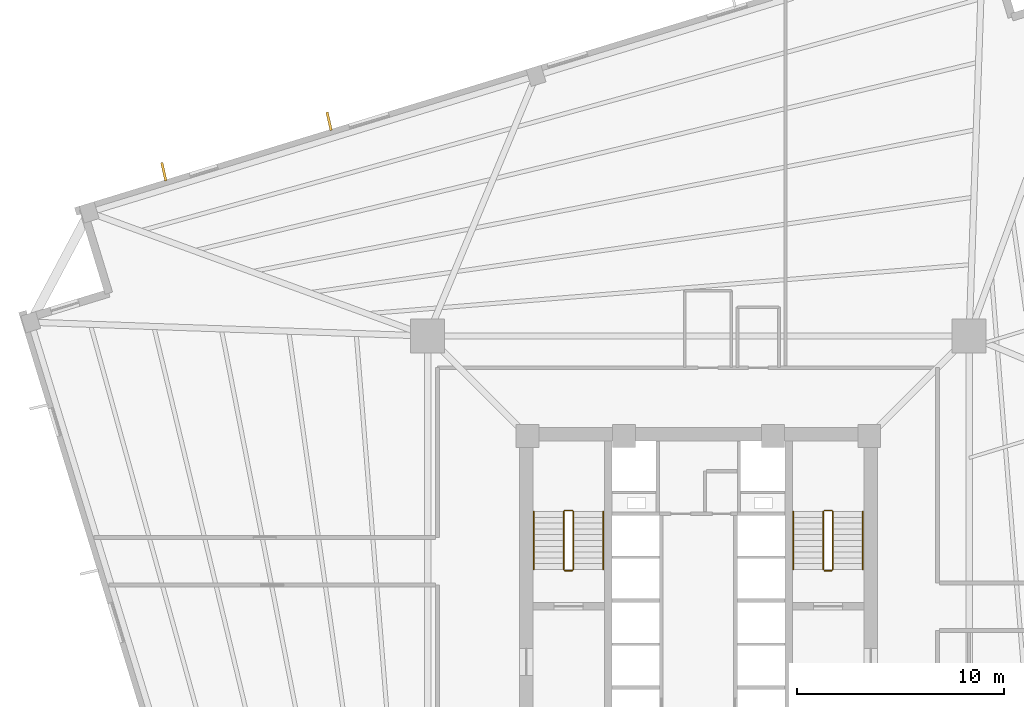
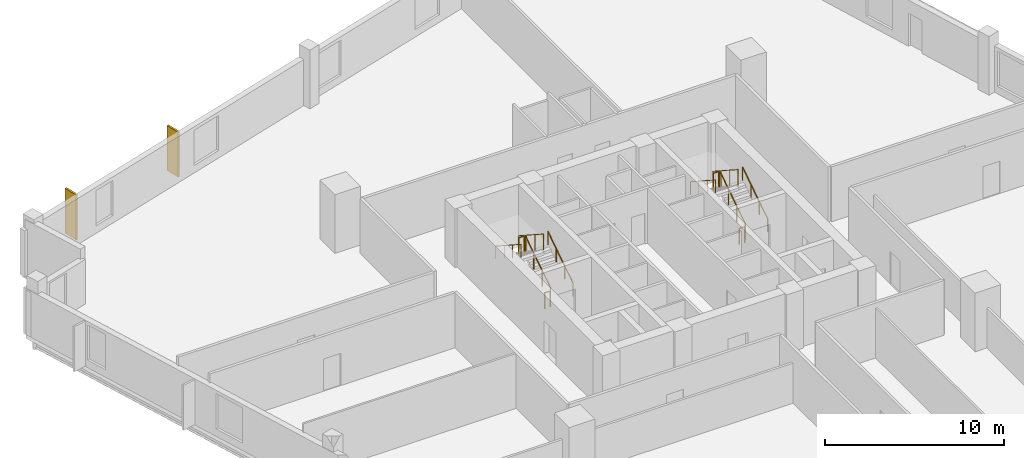
# One storey, part 8 of 9: 12 railings, 2 coverings.
"""IFC4 building model written with IfcOpenShell, lengths in metres."""

from ifc_helpers import new_model, si_unit, direction, frame, origin, origin_2d, place, context, subcontext, project, spatial, rectangle, circle, extrude, source, transform, mapped, material, layer, layer_set, type_object, element, save


model = new_model("IFC4")

# Units and contexts
model_context = context("Model", 3, precision=1e-05, world=origin(), true_north=direction((0.0, 1.0)))
body_context = subcontext(model_context, "Body", "Model", "MODEL_VIEW")
ifc_project = project(units=[si_unit("LENGTHUNIT", "METRE"), si_unit("AREAUNIT", "SQUARE_METRE"), si_unit("VOLUMEUNIT", "CUBIC_METRE"), si_unit("PLANEANGLEUNIT", "RADIAN"), si_unit("MASSUNIT", "GRAM", prefix="KILO"), si_unit("THERMODYNAMICTEMPERATUREUNIT", "KELVIN")], contexts=[model_context])

# Site, building, storey
site_placement = place(None, origin())
site = spatial("IfcSite", under=ifc_project, at=site_placement, CompositionType="ELEMENT")
building_placement = place(site_placement, origin())
building = spatial("IfcBuilding", under=site, at=building_placement, Name="Kosmvard Interchange Tower", CompositionType="ELEMENT")
storey_placement = place(building_placement, frame((0.0, 0.0, 131.199951171875)))
storey = spatial("IfcBuildingStorey", under=building, at=storey_placement, Name="L31", CompositionType="ELEMENT", Elevation=131.199951171875)

# Coverings
ifc_material_1 = material(Name="Architectural anodised aluminium", Category="aluminium")
ifc_layer = layer(ifc_material_1, 0.1201171875, Name="Architectural anodised aluminium")
ifc_layer_set = layer_set([ifc_layer], Name="Architectural anodised aluminium")
covering_type = type_object("IfcCoveringType", Name="Rotating Vertical Sun-Breaker Fin 900x120 Aluminium", PredefinedType="CLADDING", material=ifc_layer_set)
shared_shape_1 = source(origin(), body_context, "Body", "SweptSolid", [
    extrude(rectangle(XDim=0.89990234375, YDim=0.1201171875, at=origin_2d()), origin(), (0.0, 0.0, 1.0), 3.06005859375),
])
for number, where, z_axis, x_axis, name in (
    (1, (-17.841796875, 23.45849609375, 0.0400390625), (0.0, 0.0, 1.0), (-0.220186716747, 0.975457743712, 0.0), "L31 Rotating Vertical Sun-Breaker Fin 11"),
    (2, (-25.825439453125, 21.017822265625, 0.0400390625), (0.0, 0.0, 1.0), (-0.220186716747, 0.975457743712, 0.0), "L31 Rotating Vertical Sun-Breaker Fin 12"),
):
    element("IfcCovering", number, at=place(storey_placement, frame(where, z_axis=z_axis, x_axis=x_axis)), inside=storey, type_object=covering_type, Name=name, PredefinedType="CLADDING", context=body_context, shape_type="MappedRepresentation", body=[
        mapped(shared_shape_1, transform((0.0, 0.0, 0.0), scale=1.0)),
    ])

# Railings
ifc_material_2 = material(Name="Steel S355", Category="steel")
railing_type_1 = type_object("IfcRailingType", Name="Stair & Terrace Safety Guardrail 1100 Steel", PredefinedType="GUARDRAIL", material=ifc_material_2)
shared_shape_2 = source(origin(), body_context, "Body", "SweptSolid", [
    extrude(circle(Radius=0.02392578125, at=origin_2d()), frame((0.0, 0.0, 1.076171875), z_axis=(-1.0, 0.0, 0.0), x_axis=(0.0, -1.0, 0.0)), (0.0, 0.0, 1.0), 0.35986328125),
    extrude(circle(Radius=0.02099609375, at=origin_2d()), origin(), (0.0, 0.0, 1.0), 1.052001953125),
    extrude(circle(Radius=0.02099609375, at=origin_2d()), frame((-0.35986328125, 0.0, 0.0)), (0.0, 0.0, 1.0), 1.052001953125),
])
for number, where, name in (
    (3, (-6.090087890625, 4.64990234375, 2.0), "L31 ST-1 stair guard 2"),
    (4, (-6.090087890625, 1.75, 0.0), "L31 ST-1 stair guard 4"),
    (5, (6.449951171875, 4.64990234375, 2.0), "L31 ST-2 stair guard 2"),
    (6, (6.449951171875, 1.75, 0.0), "L31 ST-2 stair guard 4"),
):
    element("IfcRailing", number, at=place(storey_placement, frame(where)), inside=storey, type_object=railing_type_1, Name=name, PredefinedType="GUARDRAIL", context=body_context, shape_type="MappedRepresentation", body=[
        mapped(shared_shape_2, transform((0.0, 0.0, 0.0), scale=1.0)),
    ])
shared_shape_3 = source(origin(), body_context, "Body", "SweptSolid", [
    extrude(circle(Radius=0.02392578125, at=origin_2d()), frame((0.0, 0.0, 1.076171875), z_axis=(0.0, 0.838705829183, 0.544584733623), x_axis=(-1.0, 0.0, 0.0)), (0.0, 0.0, 1.0), 3.338623046875),
    extrude(circle(Radius=0.02099609375, at=origin_2d()), origin(), (0.0, 0.0, 1.0), 1.052001953125),
    extrude(circle(Radius=0.02099609375, at=origin_2d()), frame((0.0, 0.933349609375, 0.60595703125)), (0.0, 0.0, 1.0), 1.052001953125),
    extrude(circle(Radius=0.02099609375, at=origin_2d()), frame((0.0, 1.86669921875, 1.212158203125)), (0.0, 0.0, 1.0), 1.052001953125),
    extrude(circle(Radius=0.02099609375, at=origin_2d()), frame((0.0, 2.800048828125, 1.818115234375)), (0.0, 0.0, 1.0), 1.052001953125),
])
for number, where, name in (
    (7, (-6.0400390625, 1.800048828125, 0.181884765625), "L31 ST-1 stair guard 1"),
    (8, (6.5, 1.800048828125, 0.181884765625), "L31 ST-2 stair guard 1"),
):
    element("IfcRailing", number, at=place(storey_placement, frame(where)), inside=storey, type_object=railing_type_1, Name=name, PredefinedType="GUARDRAIL", context=body_context, shape_type="MappedRepresentation", body=[
        mapped(shared_shape_3, transform((0.0, 0.0, 0.0), scale=1.0)),
    ])
shared_shape_4 = source(origin(), body_context, "Body", "SweptSolid", [
    extrude(circle(Radius=0.02392578125, at=origin_2d()), frame((0.0, 0.0, 1.076171875), z_axis=(0.0, -0.838705829183, 0.544584733623), x_axis=(1.0, 0.0, 0.0)), (0.0, 0.0, 1.0), 3.338623046875),
    extrude(circle(Radius=0.02099609375, at=origin_2d()), origin(), (0.0, 0.0, 1.0), 1.052001953125),
    extrude(circle(Radius=0.02099609375, at=origin_2d()), frame((0.0, -0.933349609375, 0.60595703125)), (0.0, 0.0, 1.0), 1.052001953125),
    extrude(circle(Radius=0.02099609375, at=origin_2d()), frame((0.0, -1.86669921875, 1.212158203125)), (0.0, 0.0, 1.0), 1.052001953125),
    extrude(circle(Radius=0.02099609375, at=origin_2d()), frame((0.0, -2.800048828125, 1.818115234375)), (0.0, 0.0, 1.0), 1.052001953125),
])
for number, where, name in (
    (9, (-6.5, 4.60009765625, 2.181884765625), "L31 ST-1 stair guard 3"),
    (10, (6.0400390625, 4.60009765625, 2.181884765625), "L31 ST-2 stair guard 3"),
):
    element("IfcRailing", number, at=place(storey_placement, frame(where)), inside=storey, type_object=railing_type_1, Name=name, PredefinedType="GUARDRAIL", context=body_context, shape_type="MappedRepresentation", body=[
        mapped(shared_shape_4, transform((0.0, 0.0, 0.0), scale=1.0)),
    ])
railing_type_2 = type_object("IfcRailingType", Name="Wall-Mounted Stair Handrail 900 Steel", PredefinedType="HANDRAIL", material=ifc_material_2)
shared_shape_5 = source(origin(), body_context, "Body", "SweptSolid", [
    extrude(circle(Radius=0.02392578125, at=origin_2d()), frame((0.0, 0.0, 0.8759765625), z_axis=(0.0, 0.838705829183, 0.544584733623), x_axis=(-1.0, 0.0, 0.0)), (0.0, 0.0, 1.0), 3.338623046875),
    extrude(circle(Radius=0.02099609375, at=origin_2d()), origin(), (0.0, 0.0, 1.0), 0.851806640625),
    extrude(circle(Radius=0.02099609375, at=origin_2d()), frame((0.0, 0.933349609375, 0.60595703125)), (0.0, 0.0, 1.0), 0.851806640625),
    extrude(circle(Radius=0.02099609375, at=origin_2d()), frame((0.0, 1.86669921875, 1.212158203125)), (0.0, 0.0, 1.0), 0.851806640625),
    extrude(circle(Radius=0.02099609375, at=origin_2d()), frame((0.0, 2.800048828125, 1.818115234375)), (0.0, 0.0, 1.0), 0.851806640625),
])
for number, where, name in (
    (11, (-4.590087890625, 1.800048828125, 0.181884765625), "L31 ST-1 stair handrail 1"),
    (12, (7.949951171875, 1.800048828125, 0.181884765625), "L31 ST-2 stair handrail 1"),
):
    element("IfcRailing", number, at=place(storey_placement, frame(where)), inside=storey, type_object=railing_type_2, Name=name, PredefinedType="HANDRAIL", context=body_context, shape_type="MappedRepresentation", body=[
        mapped(shared_shape_5, transform((0.0, 0.0, 0.0), scale=1.0)),
    ])
shared_shape_6 = source(origin(), body_context, "Body", "SweptSolid", [
    extrude(circle(Radius=0.02392578125, at=origin_2d()), frame((0.0, 0.0, 0.8759765625), z_axis=(0.0, -0.838705829183, 0.544584733623), x_axis=(1.0, 0.0, 0.0)), (0.0, 0.0, 1.0), 3.338623046875),
    extrude(circle(Radius=0.02099609375, at=origin_2d()), origin(), (0.0, 0.0, 1.0), 0.851806640625),
    extrude(circle(Radius=0.02099609375, at=origin_2d()), frame((0.0, -0.933349609375, 0.60595703125)), (0.0, 0.0, 1.0), 0.851806640625),
    extrude(circle(Radius=0.02099609375, at=origin_2d()), frame((0.0, -1.86669921875, 1.212158203125)), (0.0, 0.0, 1.0), 0.851806640625),
    extrude(circle(Radius=0.02099609375, at=origin_2d()), frame((0.0, -2.800048828125, 1.818115234375)), (0.0, 0.0, 1.0), 0.851806640625),
])
for number, where, name in (
    (13, (-7.949951171875, 4.60009765625, 2.181884765625), "L31 ST-1 stair handrail 2"),
    (14, (4.590087890625, 4.60009765625, 2.181884765625), "L31 ST-2 stair handrail 2"),
):
    element("IfcRailing", number, at=place(storey_placement, frame(where)), inside=storey, type_object=railing_type_2, Name=name, PredefinedType="HANDRAIL", context=body_context, shape_type="MappedRepresentation", body=[
        mapped(shared_shape_6, transform((0.0, 0.0, 0.0), scale=1.0)),
    ])

save(model, "model.ifc")
